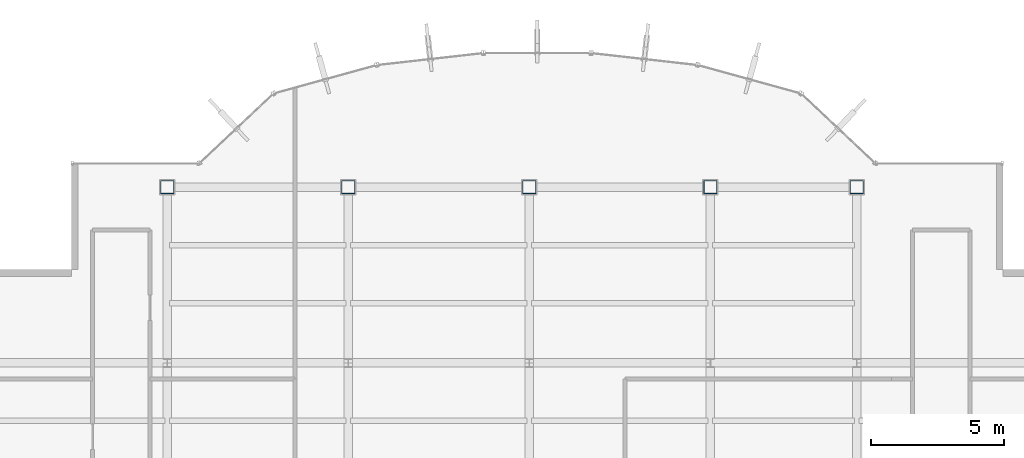
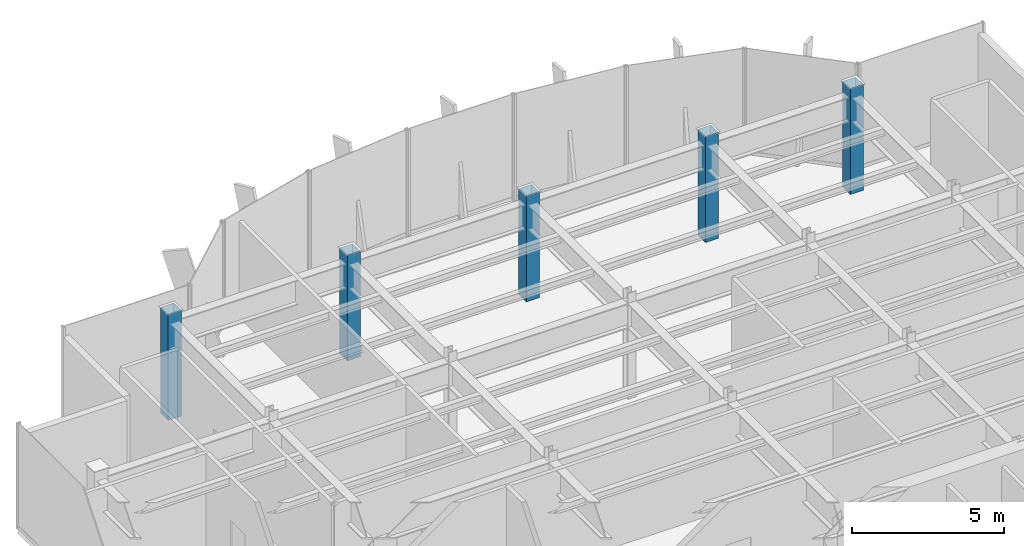
# One storey, part 2 of 24: 5 columns.
"""IFC4 building model written with IfcOpenShell, lengths in metres."""

from ifc_helpers import new_model, si_unit, derived_unit, direction, frame, origin, origin_2d, place, context, subcontext, project, spatial, hollow_rectangle, extrude, source, transform, mapped, material, material_profile, profile_set, type_object, element, save


model = new_model("IFC4")

# Units and contexts
model_context = context("Model", 3, precision=1e-05, world=origin(), true_north=direction((0.0, 1.0)))
body_context = subcontext(model_context, "Body", "Model", "MODEL_VIEW")
ifc_project = project(units=[si_unit("LENGTHUNIT", "METRE"), si_unit("AREAUNIT", "SQUARE_METRE"), si_unit("VOLUMEUNIT", "CUBIC_METRE"), si_unit("PLANEANGLEUNIT", "RADIAN"), si_unit("MASSUNIT", "GRAM", prefix="KILO"), derived_unit("THERMALTRANSMITTANCEUNIT", [(si_unit("POWERUNIT", "WATT"), 1), (si_unit("LENGTHUNIT", "METRE"), -2), (si_unit("THERMODYNAMICTEMPERATUREUNIT", "KELVIN"), -1)])], contexts=[model_context])

# Site, building, storey
site_placement = place(None, origin())
site = spatial("IfcSite", under=ifc_project, at=site_placement, CompositionType="ELEMENT")
building_placement = place(site_placement, origin())
building = spatial("IfcBuilding", under=site, at=building_placement, Name="Skarnbrae Concourse Arena and Tower", CompositionType="ELEMENT")
storey_placement = place(building_placement, frame((0.0, 0.0, 288.0)))
storey = spatial("IfcBuildingStorey", under=building, at=storey_placement, Name="L75", CompositionType="ELEMENT", Elevation=288.0)

# Columns
ifc_material = material(Name="Steel CSA G40.21 350W", Category="steel")
ifc_material_profile = material_profile(ifc_material, hollow_rectangle(XDim=0.5, YDim=0.5, WallThickness=0.02197265625, at=origin_2d()), Name="HSS500X500X22.0")
ifc_profile_set = profile_set([ifc_material_profile], Name="Steel CSA G40.21 350W")
column_type = type_object("IfcColumnType", Name="COL-TUBE-HSS500", PredefinedType="COLUMN", material=ifc_profile_set)
shared_shape = source(origin(), body_context, "Body", "SweptSolid", [
    extrude(hollow_rectangle(XDim=0.5, YDim=0.5, WallThickness=0.02197265625, at=origin_2d()), origin(), (0.0, 0.0, 1.0), 4.25),
])
for number, where, z_axis, x_axis, name in (
    (1, (7.60009765625, 34.39990234375, 0.0), (0.0, 0.0, 1.0), (1.0, 0.0, 0.0), "L75 Tower column PC_02_05"),
    (2, (14.39990234375, 34.39990234375, 0.0), (0.0, 0.0, 1.0), (1.0, 0.0, 0.0), "L75 Tower column PC_03_05"),
    (3, (21.199951171875, 34.39990234375, 0.0), (0.0, 0.0, 1.0), (1.0, 0.0, 0.0), "L75 Tower column PC_04_05"),
    (4, (28.0, 34.39990234375, 0.0), (0.0, 0.0, 1.0), (1.0, 0.0, 0.0), "L75 Tower column PC_05_05"),
    (5, (33.5, 34.39990234375, 0.0), (0.0, 0.0, 1.0), (1.0, 0.0, 0.0), "L75 Tower column PC_06_05"),
):
    element("IfcColumn", number, at=place(storey_placement, frame(where, z_axis=z_axis, x_axis=x_axis)), inside=storey, type_object=column_type, Name=name, PredefinedType="COLUMN", context=body_context, shape_type="MappedRepresentation", body=[
        mapped(shared_shape, transform((0.0, 0.0, 0.0))),
    ])

save(model, "model.ifc")
